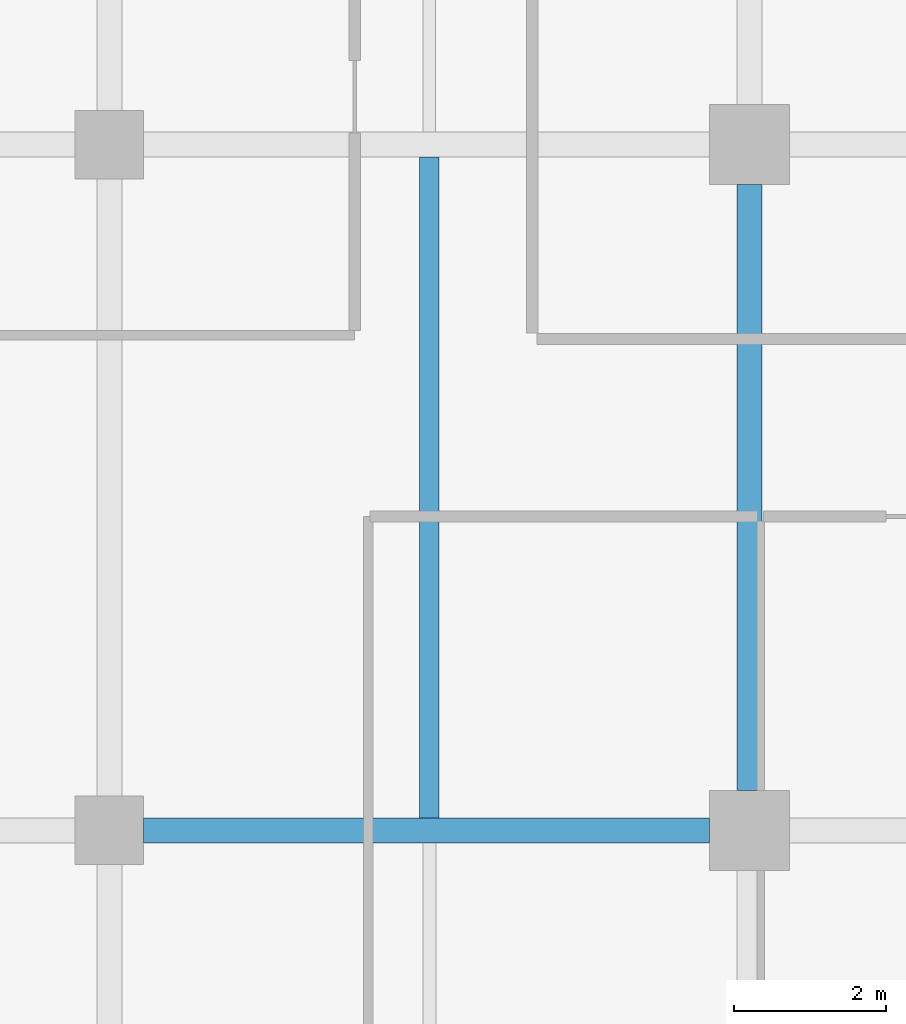
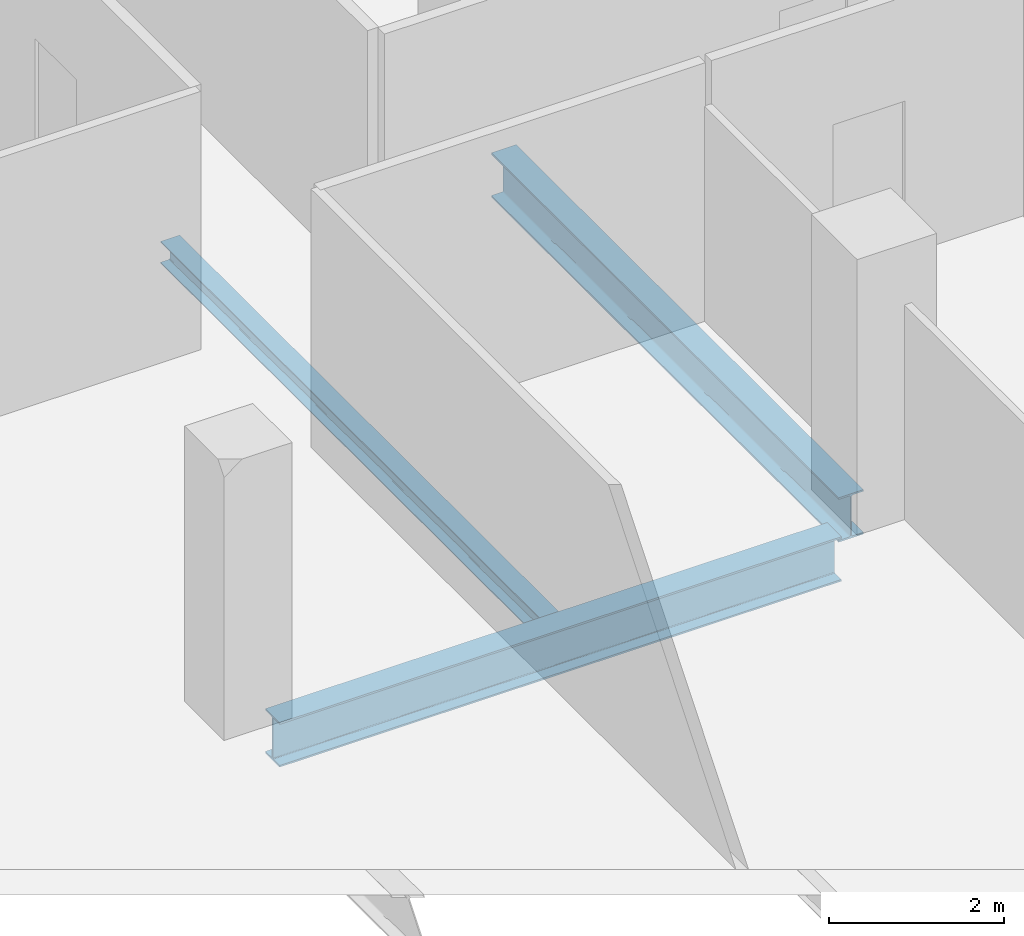
# One storey, part 6 of 40: 3 beams.
"""IFC4 building model written with IfcOpenShell, lengths in metres."""

from ifc_helpers import new_model, si_unit, direction, frame, origin, origin_2d, place, context, subcontext, project, spatial, i_section, extrude, material, material_profile, profile_set, type_object, element, save


model = new_model("IFC4")

# Units and contexts
model_context = context("Model", 3, precision=1e-05, world=origin(), true_north=direction((0.0, 1.0)))
body_context = subcontext(model_context, "Body", "Model", "MODEL_VIEW")
ifc_project = project(units=[si_unit("LENGTHUNIT", "METRE"), si_unit("AREAUNIT", "SQUARE_METRE"), si_unit("VOLUMEUNIT", "CUBIC_METRE"), si_unit("PLANEANGLEUNIT", "RADIAN"), si_unit("MASSUNIT", "GRAM", prefix="KILO")], contexts=[model_context])

# Site, building, storey
site_placement = place(None, origin())
site = spatial("IfcSite", under=ifc_project, at=site_placement, CompositionType="ELEMENT")
building_placement = place(site_placement, origin())
building = spatial("IfcBuilding", under=site, at=building_placement, Name="Maruvema Waterfront Hotel and Observation Tower", CompositionType="ELEMENT")
storey_placement = place(building_placement, frame((0.0, 0.0, 73.14990234375)))
storey = spatial("IfcBuildingStorey", under=building, at=storey_placement, Name="L17", CompositionType="ELEMENT", Elevation=73.14990234375)

# Beams
ifc_material_1 = material(Name="Steel ASTM A572 Grade 50", Category="steel")
ifc_material_profile_1 = material_profile(ifc_material_1, i_section(OverallWidth=0.326904296875, OverallDepth=0.6220703125, WebThickness=0.015380859375, FlangeThickness=0.0244140625, FilletRadius=0.01806640625, at=origin_2d()), Name="W610x195.0")
ifc_profile_set_1 = profile_set([ifc_material_profile_1], Name="Steel ASTM A572 Grade 50")
beam_type_1 = type_object("IfcBeamType", Name="Primary Floor Girder W610x195.0", PredefinedType="BEAM", material=ifc_profile_set_1)
beam_1_placement = place(storey_placement, frame((17.25, 9.0, -0.55078125), z_axis=(1.0, 0.0, 0.0), x_axis=(0.0, 1.0, 0.0)))
element("IfcBeam", 1, at=beam_1_placement, inside=storey, type_object=beam_type_1, Name="L17 Floor Girder EW-07", PredefinedType="BEAM", context=body_context, shape_type="SweptSolid", body=[
    extrude(i_section(OverallWidth=0.326904296875, OverallDepth=0.6220703125, WebThickness=0.015380859375, FlangeThickness=0.0244140625, FilletRadius=0.01806640625, at=origin_2d()), origin(), (0.0, 0.0, 1.0), 7.425048828125),
])
beam_2_placement = place(storey_placement, frame((25.199951171875, 9.52490234375, -0.55078125), z_axis=(0.0, 1.0, 0.0), x_axis=(-1.0, 0.0, 0.0)))
element("IfcBeam", 2, at=beam_2_placement, inside=storey, type_object=beam_type_1, Name="L17 Floor Girder NS-12", PredefinedType="BEAM", context=body_context, shape_type="SweptSolid", body=[
    extrude(i_section(OverallWidth=0.326904296875, OverallDepth=0.6220703125, WebThickness=0.015380859375, FlangeThickness=0.0244140625, FilletRadius=0.01806640625, at=origin_2d()), origin(), (0.0, 0.0, 1.0), 7.9501953125),
])
ifc_material_2 = material(Name="Steel ASTM A572 Grade 50", Category="steel")
ifc_material_profile_2 = material_profile(ifc_material_2, i_section(OverallWidth=0.25390625, OverallDepth=0.305908203125, WebThickness=0.0087890625, FlangeThickness=0.0146484375, FilletRadius=0.014892578125, at=origin_2d()), Name="W310x79.0")
ifc_profile_set_2 = profile_set([ifc_material_profile_2], Name="Steel ASTM A572 Grade 50")
beam_type_2 = type_object("IfcBeamType", Name="Secondary Floor Joist W310x79.0", PredefinedType="JOIST", material=ifc_profile_set_2)
beam_3_placement = place(storey_placement, frame((21.0, 9.16357421875, -0.392822265625), z_axis=(0.0, 1.0, 0.0), x_axis=(-1.0, 0.0, 0.0)))
element("IfcBeam", 3, at=beam_3_placement, inside=storey, type_object=beam_type_2, Name="L17 Secondary Floor Joist JS-06", PredefinedType="JOIST", context=body_context, shape_type="SweptSolid", body=[
    extrude(i_section(OverallWidth=0.25390625, OverallDepth=0.305908203125, WebThickness=0.0087890625, FlangeThickness=0.0146484375, FilletRadius=0.014892578125, at=origin_2d()), origin(), (0.0, 0.0, 1.0), 8.6728515625),
])

save(model, "model.ifc")
